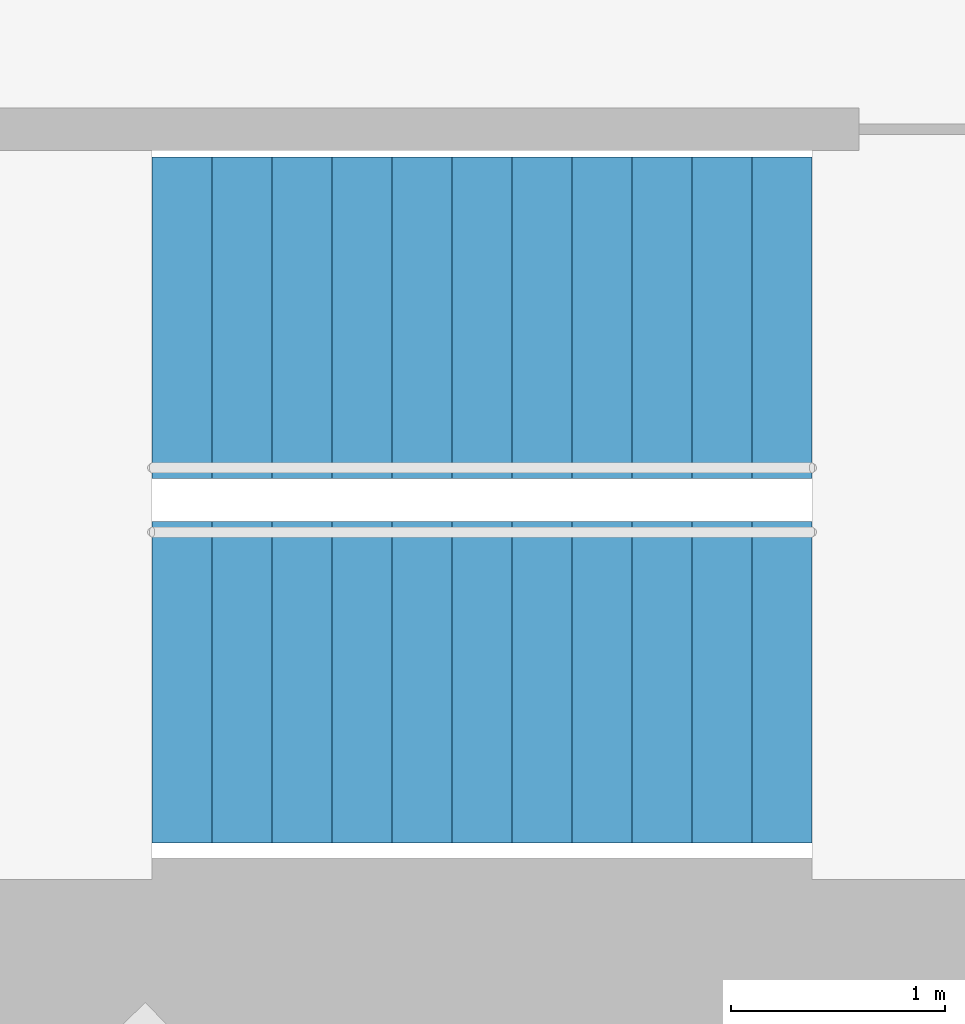
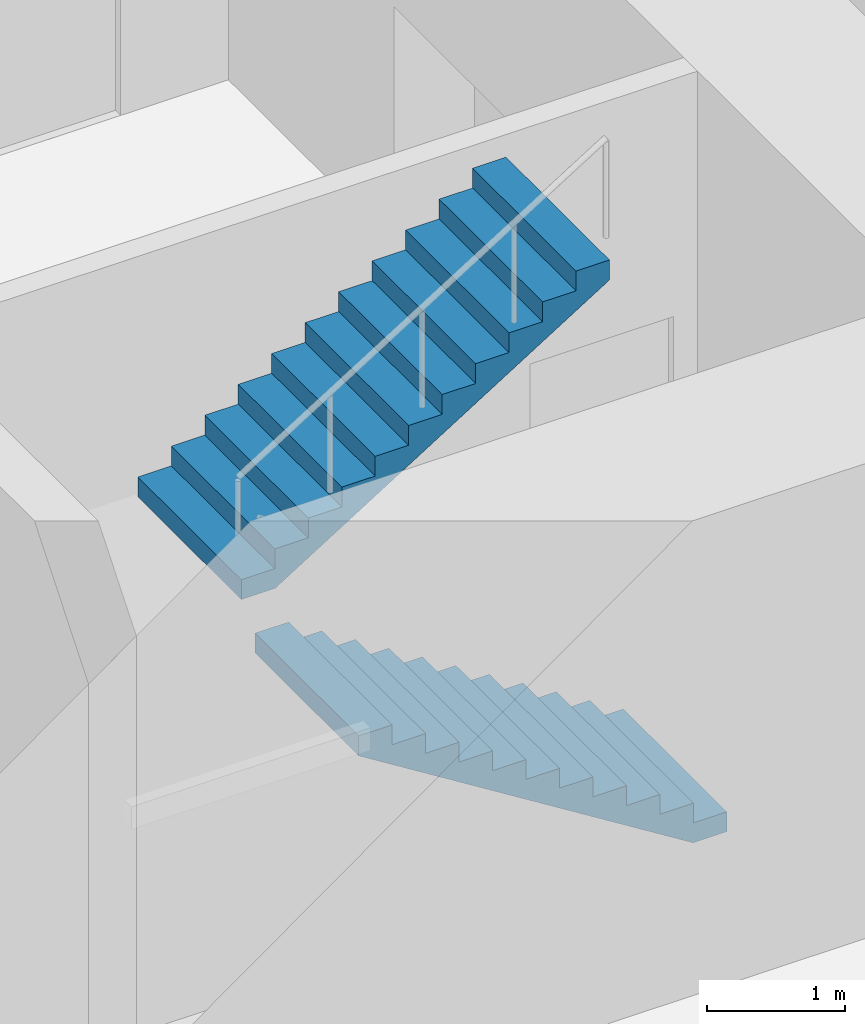
# One storey, part 16 of 17: 2 stair flights, 1 element without a shape of its own.
"""IFC4 building model written with IfcOpenShell, lengths in metres."""

from ifc_helpers import new_model, si_unit, direction, frame, origin, place, context, subcontext, project, spatial, triangles, material, type_object, element, aggregate, save


model = new_model("IFC4")

# Units and contexts
model_context = context("Model", 3, precision=1e-05, world=origin(), true_north=direction((0.0, 1.0)))
body_context = subcontext(model_context, "Body", "Model", "MODEL_VIEW")
ifc_project = project(units=[si_unit("LENGTHUNIT", "METRE"), si_unit("AREAUNIT", "SQUARE_METRE"), si_unit("VOLUMEUNIT", "CUBIC_METRE"), si_unit("PLANEANGLEUNIT", "RADIAN"), si_unit("MASSUNIT", "GRAM", prefix="KILO")], contexts=[model_context])

# Site, building, storey
site_placement = place(None, origin())
site = spatial("IfcSite", under=ifc_project, at=site_placement, CompositionType="ELEMENT")
building_placement = place(site_placement, origin())
building = spatial("IfcBuilding", under=site, at=building_placement, Name="Lantaw Convention Tower", CompositionType="ELEMENT")
storey_placement = place(building_placement, frame((0.0, 0.0, 121.60009765625)))
storey = spatial("IfcBuildingStorey", under=building, at=storey_placement, Name="L28", CompositionType="ELEMENT", Elevation=121.60009765625)

# Stair, stair flights
ifc_material = material(Name="Concrete C35/45", Category="concrete")
stair_type = type_object("IfcStairType", Name="Exit stair 1500 riser 175 in 2 flights", PredefinedType="HALF_TURN_STAIR", material=ifc_material)
stair_placement = place(storey_placement, origin())
stair = element("IfcStair", 1, at=stair_placement, inside=storey, type_object=stair_type, Name="Exit stair S2 L28", PredefinedType="HALF_TURN_STAIR")
stair_flight_type = type_object("IfcStairFlightType", Name="Stair flight 1500 riser 175", PredefinedType="STRAIGHT", material=ifc_material)
stair_flight_1_placement = place(storey_placement, frame((10.580078125, -5.97998046875, 0.0), z_axis=(0.0, 0.0, 1.0), x_axis=(-1.0, 0.0, 0.0)))
stair_flight_1 = element("IfcStairFlight", 2, at=stair_flight_1_placement, type_object=stair_flight_type, Name="S2 flight 1", NumberOfRisers=12, NumberOfTreads=11, PredefinedType="STRAIGHT", RiserHeight=0.175, TreadLength=0.28, context=body_context, shape_type="Tessellation", body=[
    triangles([(0.0, 0.75, 0.0), (0.0, 0.75, 0.175), (0.28, 0.75, 0.0), (0.28, 0.75, 0.175), (0.28, 0.75, 0.35), (0.28283517651771284, 0.75, 0.0), (0.28283517651771284, 0.75, 0.35), (0.56, 0.75, 0.17322801467642948), (0.56, 0.75, 0.35), (0.56, 0.75, 0.5249999999999999), (0.8400000000000001, 0.75, 0.34822801467642944), (0.8400000000000001, 0.75, 0.5249999999999999), (0.8400000000000001, 0.75, 0.7), (1.12, 0.75, 0.5232280146764294), (1.12, 0.75, 0.7), (1.12, 0.75, 0.875), (1.4000000000000001, 0.75, 0.6982280146764295), (1.4000000000000001, 0.75, 0.875), (1.4000000000000001, 0.75, 1.0499999999999998), (1.6800000000000002, 0.75, 0.8732280146764294), (1.6800000000000002, 0.75, 1.0499999999999998), (1.6800000000000002, 0.75, 1.2249999999999999), (1.9600000000000002, 0.75, 1.0482280146764293), (1.9600000000000002, 0.75, 1.2249999999999999), (1.9600000000000002, 0.75, 1.4), (2.24, 0.75, 1.2232280146764294), (2.24, 0.75, 1.4), (2.24, 0.75, 1.575), (2.5200000000000005, 0.75, 1.3982280146764294), (2.5200000000000005, 0.75, 1.575), (2.5200000000000005, 0.75, 1.75), (2.8000000000000003, 0.75, 1.5732280146764293), (2.8000000000000003, 0.75, 1.75), (2.8000000000000003, 0.75, 1.9249999999999998), (3.08, 0.75, 1.7482280146764293), (3.08, 0.75, 1.9249999999999998), (0.0, -0.75, 0.0), (0.0, -0.75, 0.175), (0.28, -0.75, 0.0), (0.28, -0.75, 0.175), (0.28, -0.75, 0.35), (0.28283517651771284, -0.75, 0.0), (0.28283517651771284, -0.75, 0.35), (0.56, -0.75, 0.17322801467642948), (0.56, -0.75, 0.35), (0.56, -0.75, 0.5249999999999999), (0.8400000000000001, -0.75, 0.34822801467642944), (0.8400000000000001, -0.75, 0.5249999999999999), (0.8400000000000001, -0.75, 0.7), (1.12, -0.75, 0.5232280146764294), (1.12, -0.75, 0.7), (1.12, -0.75, 0.875), (1.4000000000000001, -0.75, 0.6982280146764295), (1.4000000000000001, -0.75, 0.875), (1.4000000000000001, -0.75, 1.0499999999999998), (1.6800000000000002, -0.75, 0.8732280146764294), (1.6800000000000002, -0.75, 1.0499999999999998), (1.6800000000000002, -0.75, 1.2249999999999999), (1.9600000000000002, -0.75, 1.0482280146764293), (1.9600000000000002, -0.75, 1.2249999999999999), (1.9600000000000002, -0.75, 1.4), (2.24, -0.75, 1.2232280146764294), (2.24, -0.75, 1.4), (2.24, -0.75, 1.575), (2.5200000000000005, -0.75, 1.3982280146764294), (2.5200000000000005, -0.75, 1.575), (2.5200000000000005, -0.75, 1.75), (2.8000000000000003, -0.75, 1.5732280146764293), (2.8000000000000003, -0.75, 1.75), (2.8000000000000003, -0.75, 1.9249999999999998), (3.08, -0.75, 1.7482280146764293), (3.08, -0.75, 1.9249999999999998), (0.0, 0.15000000000000002, 0.175), (0.0, 0.15000000000000002, 0.0), (0.0, 0.0, 0.175), (0.0, 0.0, 0.0), (0.0, -0.15000000000000002, 0.175), (0.0, -0.15000000000000002, 0.0), (0.28, 0.15000000000000002, 0.35), (0.28, 0.15000000000000002, 0.175), (0.28, 0.0, 0.35), (0.28, 0.0, 0.175), (0.28, -0.15000000000000002, 0.35), (0.28, -0.15000000000000002, 0.175), (0.56, 0.15000000000000002, 0.5249999999999999), (0.56, 0.15000000000000002, 0.35), (0.56, 0.0, 0.5249999999999999), (0.56, 0.0, 0.35), (0.56, -0.15000000000000002, 0.5249999999999999), (0.56, -0.15000000000000002, 0.35), (0.8400000000000001, 0.15000000000000002, 0.7), (0.8400000000000001, 0.15000000000000002, 0.5249999999999999), (0.8400000000000001, 0.0, 0.7), (0.8400000000000001, 0.0, 0.5249999999999999), (0.8400000000000001, -0.15000000000000002, 0.7), (0.8400000000000001, -0.15000000000000002, 0.5249999999999999), (1.12, 0.15000000000000002, 0.875), (1.12, 0.15000000000000002, 0.7), (1.12, 0.0, 0.875), (1.12, 0.0, 0.7), (1.12, -0.15000000000000002, 0.875), (1.12, -0.15000000000000002, 0.7), (1.4000000000000001, 0.15000000000000002, 1.0499999999999998), (1.4000000000000001, 0.15000000000000002, 0.875), (1.4000000000000001, 0.0, 1.0499999999999998), (1.4000000000000001, 0.0, 0.875), (1.4000000000000001, -0.15000000000000002, 1.0499999999999998), (1.4000000000000001, -0.15000000000000002, 0.875), (1.6800000000000002, 0.15000000000000002, 1.2249999999999999), (1.6800000000000002, 0.15000000000000002, 1.0499999999999998), (1.6800000000000002, 0.0, 1.2249999999999999), (1.6800000000000002, 0.0, 1.0499999999999998), (1.6800000000000002, -0.15000000000000002, 1.2249999999999999), (1.6800000000000002, -0.15000000000000002, 1.0499999999999998), (1.9600000000000002, 0.15000000000000002, 1.4), (1.9600000000000002, 0.15000000000000002, 1.2249999999999999), (1.9600000000000002, 0.0, 1.4), (1.9600000000000002, 0.0, 1.2249999999999999), (1.9600000000000002, -0.15000000000000002, 1.4), (1.9600000000000002, -0.15000000000000002, 1.2249999999999999), (2.24, 0.15000000000000002, 1.575), (2.24, 0.15000000000000002, 1.4), (2.24, 0.0, 1.575), (2.24, 0.0, 1.4), (2.24, -0.15000000000000002, 1.575), (2.24, -0.15000000000000002, 1.4), (2.5200000000000005, 0.15000000000000002, 1.75), (2.5200000000000005, 0.15000000000000002, 1.575), (2.5200000000000005, 0.0, 1.75), (2.5200000000000005, 0.0, 1.575), (2.5200000000000005, -0.15000000000000002, 1.75), (2.5200000000000005, -0.15000000000000002, 1.575), (2.8000000000000003, 0.15000000000000002, 1.9249999999999998), (2.8000000000000003, 0.15000000000000002, 1.75), (2.8000000000000003, 0.0, 1.9249999999999998), (2.8000000000000003, 0.0, 1.75), (2.8000000000000003, -0.15000000000000002, 1.9249999999999998), (2.8000000000000003, -0.15000000000000002, 1.75), (0.28283517651771284, 0.15000000000000002, 0.35), (0.28283517651771284, 0.0, 0.35), (0.28283517651771284, -0.15000000000000002, 0.35), (3.08, 0.15000000000000002, 1.9249999999999998), (3.08, 0.0, 1.9249999999999998), (3.08, -0.15000000000000002, 1.9249999999999998), (3.08, 0.15000000000000002, 1.7482280146764293), (3.08, 0.0, 1.7482280146764293), (3.08, -0.15000000000000002, 1.7482280146764293), (2.8000000000000003, 0.15000000000000002, 1.5732280146764293), (2.8000000000000003, 0.0, 1.5732280146764293), (2.8000000000000003, -0.15000000000000002, 1.5732280146764293), (2.5200000000000005, 0.15000000000000002, 1.3982280146764294), (2.5200000000000005, 0.0, 1.3982280146764294), (2.5200000000000005, -0.15000000000000002, 1.3982280146764294), (2.24, 0.15000000000000002, 1.2232280146764294), (2.24, 0.0, 1.2232280146764294), (2.24, -0.15000000000000002, 1.2232280146764294), (1.9600000000000002, 0.15000000000000002, 1.0482280146764293), (1.9600000000000002, 0.0, 1.0482280146764293), (1.9600000000000002, -0.15000000000000002, 1.0482280146764293), (1.6800000000000002, 0.15000000000000002, 0.8732280146764294), (1.6800000000000002, 0.0, 0.8732280146764294), (1.6800000000000002, -0.15000000000000002, 0.8732280146764294), (1.4000000000000001, 0.15000000000000002, 0.6982280146764295), (1.4000000000000001, 0.0, 0.6982280146764295), (1.4000000000000001, -0.15000000000000002, 0.6982280146764295), (1.12, 0.15000000000000002, 0.5232280146764294), (1.12, 0.0, 0.5232280146764294), (1.12, -0.15000000000000002, 0.5232280146764294), (0.8400000000000001, 0.15000000000000002, 0.34822801467642944), (0.8400000000000001, 0.0, 0.34822801467642944), (0.8400000000000001, -0.15000000000000002, 0.34822801467642944), (0.56, 0.15000000000000002, 0.17322801467642948), (0.56, 0.0, 0.17322801467642948), (0.56, -0.15000000000000002, 0.17322801467642948), (0.28283517651771284, 0.15000000000000002, 0.0), (0.28283517651771284, 0.0, 0.0), (0.28283517651771284, -0.15000000000000002, 0.0), (0.28, 0.15000000000000002, 0.0), (0.28, 0.0, 0.0), (0.28, -0.15000000000000002, 0.0)], [[1, 4, 3], [1, 2, 4], [3, 4, 6], [4, 7, 6], [4, 5, 7], [6, 9, 8], [6, 7, 9], [8, 9, 11], [9, 12, 11], [9, 10, 12], [11, 12, 14], [12, 15, 14], [12, 13, 15], [14, 15, 17], [15, 18, 17], [15, 16, 18], [17, 18, 20], [18, 21, 20], [18, 19, 21], [20, 21, 23], [21, 24, 23], [21, 22, 24], [23, 24, 26], [24, 27, 26], [24, 25, 27], [26, 27, 29], [27, 30, 29], [27, 28, 30], [29, 30, 32], [30, 33, 32], [30, 31, 33], [32, 33, 35], [33, 36, 35], [33, 34, 36], [37, 39, 40], [37, 40, 38], [39, 42, 40], [40, 42, 43], [40, 43, 41], [42, 44, 45], [42, 45, 43], [44, 47, 45], [45, 47, 48], [45, 48, 46], [47, 50, 48], [48, 50, 51], [48, 51, 49], [50, 53, 51], [51, 53, 54], [51, 54, 52], [53, 56, 54], [54, 56, 57], [54, 57, 55], [56, 59, 57], [57, 59, 60], [57, 60, 58], [59, 62, 60], [60, 62, 63], [60, 63, 61], [62, 65, 63], [63, 65, 66], [63, 66, 64], [65, 68, 66], [66, 68, 69], [66, 69, 67], [68, 71, 69], [69, 71, 72], [69, 72, 70], [1, 73, 2], [1, 74, 73], [74, 75, 73], [74, 76, 75], [76, 77, 75], [76, 78, 77], [78, 38, 77], [78, 37, 38], [4, 79, 5], [4, 80, 79], [80, 81, 79], [80, 82, 81], [82, 83, 81], [82, 84, 83], [84, 41, 83], [84, 40, 41], [9, 85, 10], [9, 86, 85], [86, 87, 85], [86, 88, 87], [88, 89, 87], [88, 90, 89], [90, 46, 89], [90, 45, 46], [12, 91, 13], [12, 92, 91], [92, 93, 91], [92, 94, 93], [94, 95, 93], [94, 96, 95], [96, 49, 95], [96, 48, 49], [15, 97, 16], [15, 98, 97], [98, 99, 97], [98, 100, 99], [100, 101, 99], [100, 102, 101], [102, 52, 101], [102, 51, 52], [18, 103, 19], [18, 104, 103], [104, 105, 103], [104, 106, 105], [106, 107, 105], [106, 108, 107], [108, 55, 107], [108, 54, 55], [21, 109, 22], [21, 110, 109], [110, 111, 109], [110, 112, 111], [112, 113, 111], [112, 114, 113], [114, 58, 113], [114, 57, 58], [24, 115, 25], [24, 116, 115], [116, 117, 115], [116, 118, 117], [118, 119, 117], [118, 120, 119], [120, 61, 119], [120, 60, 61], [27, 121, 28], [27, 122, 121], [122, 123, 121], [122, 124, 123], [124, 125, 123], [124, 126, 125], [126, 64, 125], [126, 63, 64], [30, 127, 31], [30, 128, 127], [128, 129, 127], [128, 130, 129], [130, 131, 129], [130, 132, 131], [132, 67, 131], [132, 66, 67], [33, 133, 34], [33, 134, 133], [134, 135, 133], [134, 136, 135], [136, 137, 135], [136, 138, 137], [138, 70, 137], [138, 69, 70], [2, 80, 4], [2, 73, 80], [73, 82, 80], [73, 75, 82], [75, 84, 82], [75, 77, 84], [77, 40, 84], [77, 38, 40], [5, 139, 7], [5, 79, 139], [79, 140, 139], [79, 81, 140], [81, 141, 140], [81, 83, 141], [83, 43, 141], [83, 41, 43], [7, 86, 9], [7, 139, 86], [139, 88, 86], [139, 140, 88], [140, 90, 88], [140, 141, 90], [141, 45, 90], [141, 43, 45], [10, 92, 12], [10, 85, 92], [85, 94, 92], [85, 87, 94], [87, 96, 94], [87, 89, 96], [89, 48, 96], [89, 46, 48], [13, 98, 15], [13, 91, 98], [91, 100, 98], [91, 93, 100], [93, 102, 100], [93, 95, 102], [95, 51, 102], [95, 49, 51], [16, 104, 18], [16, 97, 104], [97, 106, 104], [97, 99, 106], [99, 108, 106], [99, 101, 108], [101, 54, 108], [101, 52, 54], [19, 110, 21], [19, 103, 110], [103, 112, 110], [103, 105, 112], [105, 114, 112], [105, 107, 114], [107, 57, 114], [107, 55, 57], [22, 116, 24], [22, 109, 116], [109, 118, 116], [109, 111, 118], [111, 120, 118], [111, 113, 120], [113, 60, 120], [113, 58, 60], [25, 122, 27], [25, 115, 122], [115, 124, 122], [115, 117, 124], [117, 126, 124], [117, 119, 126], [119, 63, 126], [119, 61, 63], [28, 128, 30], [28, 121, 128], [121, 130, 128], [121, 123, 130], [123, 132, 130], [123, 125, 132], [125, 66, 132], [125, 64, 66], [31, 134, 33], [31, 127, 134], [127, 136, 134], [127, 129, 136], [129, 138, 136], [129, 131, 138], [131, 69, 138], [131, 67, 69], [34, 142, 36], [34, 133, 142], [133, 143, 142], [133, 135, 143], [135, 144, 143], [135, 137, 144], [137, 72, 144], [137, 70, 72], [36, 145, 35], [36, 142, 145], [142, 146, 145], [142, 143, 146], [143, 147, 146], [143, 144, 147], [144, 71, 147], [144, 72, 71], [35, 148, 32], [35, 145, 148], [145, 149, 148], [145, 146, 149], [146, 150, 149], [146, 147, 150], [147, 68, 150], [147, 71, 68], [32, 151, 29], [32, 148, 151], [148, 152, 151], [148, 149, 152], [149, 153, 152], [149, 150, 153], [150, 65, 153], [150, 68, 65], [29, 154, 26], [29, 151, 154], [151, 155, 154], [151, 152, 155], [152, 156, 155], [152, 153, 156], [153, 62, 156], [153, 65, 62], [26, 157, 23], [26, 154, 157], [154, 158, 157], [154, 155, 158], [155, 159, 158], [155, 156, 159], [156, 59, 159], [156, 62, 59], [23, 160, 20], [23, 157, 160], [157, 161, 160], [157, 158, 161], [158, 162, 161], [158, 159, 162], [159, 56, 162], [159, 59, 56], [20, 163, 17], [20, 160, 163], [160, 164, 163], [160, 161, 164], [161, 165, 164], [161, 162, 165], [162, 53, 165], [162, 56, 53], [17, 166, 14], [17, 163, 166], [163, 167, 166], [163, 164, 167], [164, 168, 167], [164, 165, 168], [165, 50, 168], [165, 53, 50], [14, 169, 11], [14, 166, 169], [166, 170, 169], [166, 167, 170], [167, 171, 170], [167, 168, 171], [168, 47, 171], [168, 50, 47], [11, 172, 8], [11, 169, 172], [169, 173, 172], [169, 170, 173], [170, 174, 173], [170, 171, 174], [171, 44, 174], [171, 47, 44], [8, 175, 6], [8, 172, 175], [172, 176, 175], [172, 173, 176], [173, 177, 176], [173, 174, 177], [174, 42, 177], [174, 44, 42], [6, 178, 3], [6, 175, 178], [175, 179, 178], [175, 176, 179], [176, 180, 179], [176, 177, 180], [177, 39, 180], [177, 42, 39], [3, 74, 1], [3, 178, 74], [178, 76, 74], [178, 179, 76], [179, 78, 76], [179, 180, 78], [180, 37, 78], [180, 39, 37]], closed=True),
])
stair_flight_2_placement = place(storey_placement, frame((7.5, -4.280029296875, 2.099853515625), z_axis=(0.0, 0.0, 1.0), x_axis=(1.0, 0.0, 0.0)))
stair_flight_2 = element("IfcStairFlight", 3, at=stair_flight_2_placement, type_object=stair_flight_type, Name="S2 flight 2", NumberOfRisers=12, NumberOfTreads=11, PredefinedType="STRAIGHT", RiserHeight=0.175, TreadLength=0.28, context=body_context, shape_type="Tessellation", body=[
    triangles([(0.0, 0.75, 0.0), (0.0, 0.75, 0.175), (0.28, 0.75, 0.0), (0.28, 0.75, 0.175), (0.28, 0.75, 0.35), (0.28283517651771284, 0.75, 0.0), (0.28283517651771284, 0.75, 0.35), (0.56, 0.75, 0.17322801467642948), (0.56, 0.75, 0.35), (0.56, 0.75, 0.5249999999999999), (0.8400000000000001, 0.75, 0.34822801467642944), (0.8400000000000001, 0.75, 0.5249999999999999), (0.8400000000000001, 0.75, 0.7), (1.12, 0.75, 0.5232280146764294), (1.12, 0.75, 0.7), (1.12, 0.75, 0.875), (1.4000000000000001, 0.75, 0.6982280146764295), (1.4000000000000001, 0.75, 0.875), (1.4000000000000001, 0.75, 1.0499999999999998), (1.6800000000000002, 0.75, 0.8732280146764294), (1.6800000000000002, 0.75, 1.0499999999999998), (1.6800000000000002, 0.75, 1.2249999999999999), (1.9600000000000002, 0.75, 1.0482280146764293), (1.9600000000000002, 0.75, 1.2249999999999999), (1.9600000000000002, 0.75, 1.4), (2.24, 0.75, 1.2232280146764294), (2.24, 0.75, 1.4), (2.24, 0.75, 1.575), (2.5200000000000005, 0.75, 1.3982280146764294), (2.5200000000000005, 0.75, 1.575), (2.5200000000000005, 0.75, 1.75), (2.8000000000000003, 0.75, 1.5732280146764293), (2.8000000000000003, 0.75, 1.75), (2.8000000000000003, 0.75, 1.9249999999999998), (3.08, 0.75, 1.7482280146764293), (3.08, 0.75, 1.9249999999999998), (0.0, -0.75, 0.0), (0.0, -0.75, 0.175), (0.28, -0.75, 0.0), (0.28, -0.75, 0.175), (0.28, -0.75, 0.35), (0.28283517651771284, -0.75, 0.0), (0.28283517651771284, -0.75, 0.35), (0.56, -0.75, 0.17322801467642948), (0.56, -0.75, 0.35), (0.56, -0.75, 0.5249999999999999), (0.8400000000000001, -0.75, 0.34822801467642944), (0.8400000000000001, -0.75, 0.5249999999999999), (0.8400000000000001, -0.75, 0.7), (1.12, -0.75, 0.5232280146764294), (1.12, -0.75, 0.7), (1.12, -0.75, 0.875), (1.4000000000000001, -0.75, 0.6982280146764295), (1.4000000000000001, -0.75, 0.875), (1.4000000000000001, -0.75, 1.0499999999999998), (1.6800000000000002, -0.75, 0.8732280146764294), (1.6800000000000002, -0.75, 1.0499999999999998), (1.6800000000000002, -0.75, 1.2249999999999999), (1.9600000000000002, -0.75, 1.0482280146764293), (1.9600000000000002, -0.75, 1.2249999999999999), (1.9600000000000002, -0.75, 1.4), (2.24, -0.75, 1.2232280146764294), (2.24, -0.75, 1.4), (2.24, -0.75, 1.575), (2.5200000000000005, -0.75, 1.3982280146764294), (2.5200000000000005, -0.75, 1.575), (2.5200000000000005, -0.75, 1.75), (2.8000000000000003, -0.75, 1.5732280146764293), (2.8000000000000003, -0.75, 1.75), (2.8000000000000003, -0.75, 1.9249999999999998), (3.08, -0.75, 1.7482280146764293), (3.08, -0.75, 1.9249999999999998), (0.0, 0.15000000000000002, 0.175), (0.0, 0.15000000000000002, 0.0), (0.0, 0.0, 0.175), (0.0, 0.0, 0.0), (0.0, -0.15000000000000002, 0.175), (0.0, -0.15000000000000002, 0.0), (0.28, 0.15000000000000002, 0.35), (0.28, 0.15000000000000002, 0.175), (0.28, 0.0, 0.35), (0.28, 0.0, 0.175), (0.28, -0.15000000000000002, 0.35), (0.28, -0.15000000000000002, 0.175), (0.56, 0.15000000000000002, 0.5249999999999999), (0.56, 0.15000000000000002, 0.35), (0.56, 0.0, 0.5249999999999999), (0.56, 0.0, 0.35), (0.56, -0.15000000000000002, 0.5249999999999999), (0.56, -0.15000000000000002, 0.35), (0.8400000000000001, 0.15000000000000002, 0.7), (0.8400000000000001, 0.15000000000000002, 0.5249999999999999), (0.8400000000000001, 0.0, 0.7), (0.8400000000000001, 0.0, 0.5249999999999999), (0.8400000000000001, -0.15000000000000002, 0.7), (0.8400000000000001, -0.15000000000000002, 0.5249999999999999), (1.12, 0.15000000000000002, 0.875), (1.12, 0.15000000000000002, 0.7), (1.12, 0.0, 0.875), (1.12, 0.0, 0.7), (1.12, -0.15000000000000002, 0.875), (1.12, -0.15000000000000002, 0.7), (1.4000000000000001, 0.15000000000000002, 1.0499999999999998), (1.4000000000000001, 0.15000000000000002, 0.875), (1.4000000000000001, 0.0, 1.0499999999999998), (1.4000000000000001, 0.0, 0.875), (1.4000000000000001, -0.15000000000000002, 1.0499999999999998), (1.4000000000000001, -0.15000000000000002, 0.875), (1.6800000000000002, 0.15000000000000002, 1.2249999999999999), (1.6800000000000002, 0.15000000000000002, 1.0499999999999998), (1.6800000000000002, 0.0, 1.2249999999999999), (1.6800000000000002, 0.0, 1.0499999999999998), (1.6800000000000002, -0.15000000000000002, 1.2249999999999999), (1.6800000000000002, -0.15000000000000002, 1.0499999999999998), (1.9600000000000002, 0.15000000000000002, 1.4), (1.9600000000000002, 0.15000000000000002, 1.2249999999999999), (1.9600000000000002, 0.0, 1.4), (1.9600000000000002, 0.0, 1.2249999999999999), (1.9600000000000002, -0.15000000000000002, 1.4), (1.9600000000000002, -0.15000000000000002, 1.2249999999999999), (2.24, 0.15000000000000002, 1.575), (2.24, 0.15000000000000002, 1.4), (2.24, 0.0, 1.575), (2.24, 0.0, 1.4), (2.24, -0.15000000000000002, 1.575), (2.24, -0.15000000000000002, 1.4), (2.5200000000000005, 0.15000000000000002, 1.75), (2.5200000000000005, 0.15000000000000002, 1.575), (2.5200000000000005, 0.0, 1.75), (2.5200000000000005, 0.0, 1.575), (2.5200000000000005, -0.15000000000000002, 1.75), (2.5200000000000005, -0.15000000000000002, 1.575), (2.8000000000000003, 0.15000000000000002, 1.9249999999999998), (2.8000000000000003, 0.15000000000000002, 1.75), (2.8000000000000003, 0.0, 1.9249999999999998), (2.8000000000000003, 0.0, 1.75), (2.8000000000000003, -0.15000000000000002, 1.9249999999999998), (2.8000000000000003, -0.15000000000000002, 1.75), (0.28283517651771284, 0.15000000000000002, 0.35), (0.28283517651771284, 0.0, 0.35), (0.28283517651771284, -0.15000000000000002, 0.35), (3.08, 0.15000000000000002, 1.9249999999999998), (3.08, 0.0, 1.9249999999999998), (3.08, -0.15000000000000002, 1.9249999999999998), (3.08, 0.15000000000000002, 1.7482280146764293), (3.08, 0.0, 1.7482280146764293), (3.08, -0.15000000000000002, 1.7482280146764293), (2.8000000000000003, 0.15000000000000002, 1.5732280146764293), (2.8000000000000003, 0.0, 1.5732280146764293), (2.8000000000000003, -0.15000000000000002, 1.5732280146764293), (2.5200000000000005, 0.15000000000000002, 1.3982280146764294), (2.5200000000000005, 0.0, 1.3982280146764294), (2.5200000000000005, -0.15000000000000002, 1.3982280146764294), (2.24, 0.15000000000000002, 1.2232280146764294), (2.24, 0.0, 1.2232280146764294), (2.24, -0.15000000000000002, 1.2232280146764294), (1.9600000000000002, 0.15000000000000002, 1.0482280146764293), (1.9600000000000002, 0.0, 1.0482280146764293), (1.9600000000000002, -0.15000000000000002, 1.0482280146764293), (1.6800000000000002, 0.15000000000000002, 0.8732280146764294), (1.6800000000000002, 0.0, 0.8732280146764294), (1.6800000000000002, -0.15000000000000002, 0.8732280146764294), (1.4000000000000001, 0.15000000000000002, 0.6982280146764295), (1.4000000000000001, 0.0, 0.6982280146764295), (1.4000000000000001, -0.15000000000000002, 0.6982280146764295), (1.12, 0.15000000000000002, 0.5232280146764294), (1.12, 0.0, 0.5232280146764294), (1.12, -0.15000000000000002, 0.5232280146764294), (0.8400000000000001, 0.15000000000000002, 0.34822801467642944), (0.8400000000000001, 0.0, 0.34822801467642944), (0.8400000000000001, -0.15000000000000002, 0.34822801467642944), (0.56, 0.15000000000000002, 0.17322801467642948), (0.56, 0.0, 0.17322801467642948), (0.56, -0.15000000000000002, 0.17322801467642948), (0.28283517651771284, 0.15000000000000002, 0.0), (0.28283517651771284, 0.0, 0.0), (0.28283517651771284, -0.15000000000000002, 0.0), (0.28, 0.15000000000000002, 0.0), (0.28, 0.0, 0.0), (0.28, -0.15000000000000002, 0.0)], [[1, 4, 3], [1, 2, 4], [3, 4, 6], [4, 7, 6], [4, 5, 7], [6, 9, 8], [6, 7, 9], [8, 9, 11], [9, 12, 11], [9, 10, 12], [11, 12, 14], [12, 15, 14], [12, 13, 15], [14, 15, 17], [15, 18, 17], [15, 16, 18], [17, 18, 20], [18, 21, 20], [18, 19, 21], [20, 21, 23], [21, 24, 23], [21, 22, 24], [23, 24, 26], [24, 27, 26], [24, 25, 27], [26, 27, 29], [27, 30, 29], [27, 28, 30], [29, 30, 32], [30, 33, 32], [30, 31, 33], [32, 33, 35], [33, 36, 35], [33, 34, 36], [37, 39, 40], [37, 40, 38], [39, 42, 40], [40, 42, 43], [40, 43, 41], [42, 44, 45], [42, 45, 43], [44, 47, 45], [45, 47, 48], [45, 48, 46], [47, 50, 48], [48, 50, 51], [48, 51, 49], [50, 53, 51], [51, 53, 54], [51, 54, 52], [53, 56, 54], [54, 56, 57], [54, 57, 55], [56, 59, 57], [57, 59, 60], [57, 60, 58], [59, 62, 60], [60, 62, 63], [60, 63, 61], [62, 65, 63], [63, 65, 66], [63, 66, 64], [65, 68, 66], [66, 68, 69], [66, 69, 67], [68, 71, 69], [69, 71, 72], [69, 72, 70], [1, 73, 2], [1, 74, 73], [74, 75, 73], [74, 76, 75], [76, 77, 75], [76, 78, 77], [78, 38, 77], [78, 37, 38], [4, 79, 5], [4, 80, 79], [80, 81, 79], [80, 82, 81], [82, 83, 81], [82, 84, 83], [84, 41, 83], [84, 40, 41], [9, 85, 10], [9, 86, 85], [86, 87, 85], [86, 88, 87], [88, 89, 87], [88, 90, 89], [90, 46, 89], [90, 45, 46], [12, 91, 13], [12, 92, 91], [92, 93, 91], [92, 94, 93], [94, 95, 93], [94, 96, 95], [96, 49, 95], [96, 48, 49], [15, 97, 16], [15, 98, 97], [98, 99, 97], [98, 100, 99], [100, 101, 99], [100, 102, 101], [102, 52, 101], [102, 51, 52], [18, 103, 19], [18, 104, 103], [104, 105, 103], [104, 106, 105], [106, 107, 105], [106, 108, 107], [108, 55, 107], [108, 54, 55], [21, 109, 22], [21, 110, 109], [110, 111, 109], [110, 112, 111], [112, 113, 111], [112, 114, 113], [114, 58, 113], [114, 57, 58], [24, 115, 25], [24, 116, 115], [116, 117, 115], [116, 118, 117], [118, 119, 117], [118, 120, 119], [120, 61, 119], [120, 60, 61], [27, 121, 28], [27, 122, 121], [122, 123, 121], [122, 124, 123], [124, 125, 123], [124, 126, 125], [126, 64, 125], [126, 63, 64], [30, 127, 31], [30, 128, 127], [128, 129, 127], [128, 130, 129], [130, 131, 129], [130, 132, 131], [132, 67, 131], [132, 66, 67], [33, 133, 34], [33, 134, 133], [134, 135, 133], [134, 136, 135], [136, 137, 135], [136, 138, 137], [138, 70, 137], [138, 69, 70], [2, 80, 4], [2, 73, 80], [73, 82, 80], [73, 75, 82], [75, 84, 82], [75, 77, 84], [77, 40, 84], [77, 38, 40], [5, 139, 7], [5, 79, 139], [79, 140, 139], [79, 81, 140], [81, 141, 140], [81, 83, 141], [83, 43, 141], [83, 41, 43], [7, 86, 9], [7, 139, 86], [139, 88, 86], [139, 140, 88], [140, 90, 88], [140, 141, 90], [141, 45, 90], [141, 43, 45], [10, 92, 12], [10, 85, 92], [85, 94, 92], [85, 87, 94], [87, 96, 94], [87, 89, 96], [89, 48, 96], [89, 46, 48], [13, 98, 15], [13, 91, 98], [91, 100, 98], [91, 93, 100], [93, 102, 100], [93, 95, 102], [95, 51, 102], [95, 49, 51], [16, 104, 18], [16, 97, 104], [97, 106, 104], [97, 99, 106], [99, 108, 106], [99, 101, 108], [101, 54, 108], [101, 52, 54], [19, 110, 21], [19, 103, 110], [103, 112, 110], [103, 105, 112], [105, 114, 112], [105, 107, 114], [107, 57, 114], [107, 55, 57], [22, 116, 24], [22, 109, 116], [109, 118, 116], [109, 111, 118], [111, 120, 118], [111, 113, 120], [113, 60, 120], [113, 58, 60], [25, 122, 27], [25, 115, 122], [115, 124, 122], [115, 117, 124], [117, 126, 124], [117, 119, 126], [119, 63, 126], [119, 61, 63], [28, 128, 30], [28, 121, 128], [121, 130, 128], [121, 123, 130], [123, 132, 130], [123, 125, 132], [125, 66, 132], [125, 64, 66], [31, 134, 33], [31, 127, 134], [127, 136, 134], [127, 129, 136], [129, 138, 136], [129, 131, 138], [131, 69, 138], [131, 67, 69], [34, 142, 36], [34, 133, 142], [133, 143, 142], [133, 135, 143], [135, 144, 143], [135, 137, 144], [137, 72, 144], [137, 70, 72], [36, 145, 35], [36, 142, 145], [142, 146, 145], [142, 143, 146], [143, 147, 146], [143, 144, 147], [144, 71, 147], [144, 72, 71], [35, 148, 32], [35, 145, 148], [145, 149, 148], [145, 146, 149], [146, 150, 149], [146, 147, 150], [147, 68, 150], [147, 71, 68], [32, 151, 29], [32, 148, 151], [148, 152, 151], [148, 149, 152], [149, 153, 152], [149, 150, 153], [150, 65, 153], [150, 68, 65], [29, 154, 26], [29, 151, 154], [151, 155, 154], [151, 152, 155], [152, 156, 155], [152, 153, 156], [153, 62, 156], [153, 65, 62], [26, 157, 23], [26, 154, 157], [154, 158, 157], [154, 155, 158], [155, 159, 158], [155, 156, 159], [156, 59, 159], [156, 62, 59], [23, 160, 20], [23, 157, 160], [157, 161, 160], [157, 158, 161], [158, 162, 161], [158, 159, 162], [159, 56, 162], [159, 59, 56], [20, 163, 17], [20, 160, 163], [160, 164, 163], [160, 161, 164], [161, 165, 164], [161, 162, 165], [162, 53, 165], [162, 56, 53], [17, 166, 14], [17, 163, 166], [163, 167, 166], [163, 164, 167], [164, 168, 167], [164, 165, 168], [165, 50, 168], [165, 53, 50], [14, 169, 11], [14, 166, 169], [166, 170, 169], [166, 167, 170], [167, 171, 170], [167, 168, 171], [168, 47, 171], [168, 50, 47], [11, 172, 8], [11, 169, 172], [169, 173, 172], [169, 170, 173], [170, 174, 173], [170, 171, 174], [171, 44, 174], [171, 47, 44], [8, 175, 6], [8, 172, 175], [172, 176, 175], [172, 173, 176], [173, 177, 176], [173, 174, 177], [174, 42, 177], [174, 44, 42], [6, 178, 3], [6, 175, 178], [175, 179, 178], [175, 176, 179], [176, 180, 179], [176, 177, 180], [177, 39, 180], [177, 42, 39], [3, 74, 1], [3, 178, 74], [178, 76, 74], [178, 179, 76], [179, 78, 76], [179, 180, 78], [180, 37, 78], [180, 39, 37]], closed=True),
])
aggregate(stair, [stair_flight_1, stair_flight_2])

save(model, "model.ifc")
